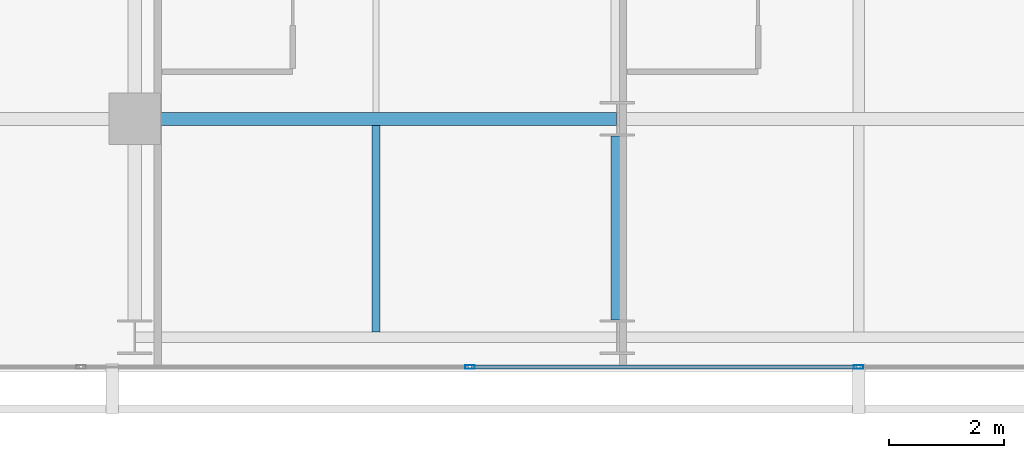
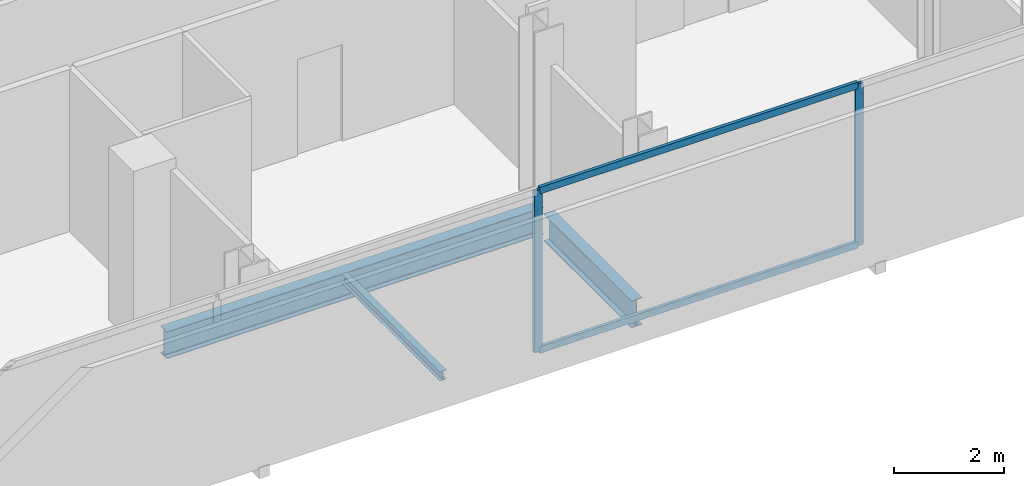
# One storey, part 6 of 34: 4 members, 3 beams, 1 element without a shape of its own.
"""IFC4 building model written with IfcOpenShell, lengths in metres."""

import ifcopenshell
import ifcopenshell.guid

model = None  # the IFC model being written
_history = None  # IfcOwnerHistory: only IFC2X3 demands one
_inside = {}  # id of a spatial element -> (the spatial element, [elements in it])
_under = {}  # id of a project, library or spatial element -> (it, [spatial elements below it])
_declared = {}  # id of a project -> (the project, [libraries it declares])
_typed = {}  # id of a type object -> (the type object, [elements of that type])
_made_of = {}  # id of a material, layer set ... -> (it, [elements and type objects made of it])


def new_model(schema):
    """Start an empty IFC model of exactly this schema.

    Asked for "IFC4X3", IfcOpenShell would pick the latest addendum, in which some entities
    have other attributes; the version numbers below select the first issue.
    IFC2X3 requires an IfcOwnerHistory on every rooted entity: one is made here for all.
    """
    global model, _history
    if schema == "IFC4X3":
        model = ifcopenshell.file(schema_version=(4, 3, 0, 0))
    else:
        model = ifcopenshell.file(schema=schema)
    _inside.clear()
    _under.clear()
    _declared.clear()
    _typed.clear()
    _made_of.clear()
    _history = None
    if model.schema == "IFC2X3":
        org = make("IfcOrganization", Name="unknown")
        user = make(
            "IfcPersonAndOrganization",
            ThePerson=make("IfcPerson", FamilyName="unknown"),
            TheOrganization=org,
        )
        app = make(
            "IfcApplication",
            ApplicationDeveloper=org,
            Version="unknown",
            ApplicationFullName="unknown",
            ApplicationIdentifier="unknown",
        )
        _history = make(
            "IfcOwnerHistory",
            OwningUser=user,
            OwningApplication=app,
            ChangeAction="ADDED",
            CreationDate=0,
        )
    return model


def make(cls, **values):
    """One entity of the class cls with the attributes given. An attribute that is None is left unset."""
    return model.create_entity(
        cls, **{name: value for name, value in values.items() if value is not None}
    )


def rooted(cls, **values):
    """An entity with a GlobalId (a new one), such as an element, a storey or a relation."""
    return make(cls, GlobalId=ifcopenshell.guid.new(), OwnerHistory=_history, **values)


def si_unit(unit_type, name, prefix=None):
    """IfcSIUnit, for example si_unit("LENGTHUNIT", "METRE", prefix="MILLI")."""
    return make("IfcSIUnit", UnitType=unit_type, Prefix=prefix, Name=name)


def assignment(units):
    """IfcUnitAssignment: the units of a project."""
    return None if units is None else make("IfcUnitAssignment", Units=units)


def point(xyz):
    """IfcCartesianPoint."""
    return None if xyz is None else make("IfcCartesianPoint", Coordinates=xyz)


def direction(xyz):
    """IfcDirection."""
    return None if xyz is None else make("IfcDirection", DirectionRatios=xyz)


def frame(location, z_axis=None, x_axis=None):
    """IfcAxis2Placement3D, a coordinate frame: its origin and axes. An axis left out is left unset."""
    return make(
        "IfcAxis2Placement3D",
        Location=point(location),
        Axis=direction(z_axis),
        RefDirection=direction(x_axis),
    )


def frame_2d(location, x_axis=None):
    """IfcAxis2Placement2D, a coordinate frame in the plane: its origin and x axis."""
    return make(
        "IfcAxis2Placement2D", Location=point(location), RefDirection=direction(x_axis)
    )


def origin():
    """The frame at (0, 0, 0) with its axes left unset."""
    return frame((0.0, 0.0, 0.0))


def origin_2d():
    """The frame at (0, 0) in the plane with its x axis left unset."""
    return frame_2d((0.0, 0.0))


def place(relative_to, where):
    """IfcLocalPlacement: puts the frame where relative to a parent placement (None: the world)."""
    return make(
        "IfcLocalPlacement", PlacementRelTo=relative_to, RelativePlacement=where
    )


def context(
    kind, dimensions, precision=None, world=None, true_north=None, identifier=None
):
    """IfcGeometricRepresentationContext, for example the 3D "Model" context."""
    return make(
        "IfcGeometricRepresentationContext",
        ContextIdentifier=identifier,
        ContextType=kind,
        CoordinateSpaceDimension=dimensions,
        Precision=precision,
        WorldCoordinateSystem=world,
        TrueNorth=true_north,
    )


def subcontext(parent, identifier, kind, view, scale=None):
    """IfcGeometricRepresentationSubContext, for example "Body" below "Model"."""
    return make(
        "IfcGeometricRepresentationSubContext",
        ContextIdentifier=identifier,
        ContextType=kind,
        ParentContext=parent,
        TargetScale=scale,
        TargetView=view,
    )


def project(units=None, contexts=None):
    """IfcProject with its units and contexts."""
    return rooted(
        "IfcProject",
        Name="project",
        RepresentationContexts=contexts,
        UnitsInContext=assignment(units),
    )


def spatial(cls, under=None, at=None, **own):
    """A site, building, storey or space (cls), placed at a placement, below another one or the project."""
    s = rooted(cls, ObjectPlacement=at, **own)
    if under is not None:
        _under.setdefault(under.id(), (under, []))[1].append(s)
    return s


def profile(cls, at=None, kind="AREA", **sizes):
    """A parametric profile (cls). Its sizes go by their IFC names, for example OverallWidth=200.0."""
    return make(cls, ProfileType=kind, Position=at, **sizes)


def hollow_rectangle(**sizes):
    """IfcRectangleHollowProfileDef."""
    return profile("IfcRectangleHollowProfileDef", **sizes)


def i_section(**sizes):
    """IfcIShapeProfileDef."""
    return profile("IfcIShapeProfileDef", **sizes)


def extrude(swept, where, along, depth):
    """IfcExtrudedAreaSolid: the profile swept, set in the frame where, extruded along a direction by depth."""
    return make(
        "IfcExtrudedAreaSolid",
        SweptArea=swept,
        Position=where,
        ExtrudedDirection=direction(along),
        Depth=depth,
    )


def shape(context_of_items, identifier, shape_type, items):
    """IfcShapeRepresentation: the items that make up one representation, for example the "Body"."""
    return make(
        "IfcShapeRepresentation",
        ContextOfItems=context_of_items,
        RepresentationIdentifier=identifier,
        RepresentationType=shape_type,
        Items=items,
    )


def material(Name=None, Category=None):
    """IfcMaterial."""
    return make("IfcMaterial", Name=Name, Category=Category)


def layer(
    of_material, thickness, ventilated=None, Name=None, Category=None, Priority=None
):
    """IfcMaterialLayer: one layer of a wall or slab, of a material (None: an air gap)."""
    return make(
        "IfcMaterialLayer",
        Material=of_material,
        LayerThickness=thickness,
        IsVentilated=ventilated,
        Name=Name,
        Category=Category,
        Priority=Priority,
    )


def layer_set(layers, Name=None):
    """IfcMaterialLayerSet."""
    return make("IfcMaterialLayerSet", MaterialLayers=layers, LayerSetName=Name)


def material_profile(
    of_material, cross_section, Name=None, Category=None, Priority=None
):
    """IfcMaterialProfile: a cross section and its material."""
    return make(
        "IfcMaterialProfile",
        Name=Name,
        Material=of_material,
        Profile=cross_section,
        Priority=Priority,
        Category=Category,
    )


def profile_set(profiles, Name=None, composite=None):
    """IfcMaterialProfileSet."""
    return make(
        "IfcMaterialProfileSet",
        Name=Name,
        MaterialProfiles=profiles,
        CompositeProfile=composite,
    )


def made_of(thing, what):
    """Note that an element or type object is made of a material, layer set ...; save() writes the relation."""
    if what is not None:
        _made_of.setdefault(what.id(), (what, []))[1].append(thing)
    return thing


def type_object(cls, material=None, **own):
    """A type object (cls), such as IfcWallType, which elements share."""
    return made_of(rooted(cls, **own), material)


def element(
    cls,
    number,
    at=None,
    inside=None,
    cuts=None,
    type_object=None,
    material=None,
    context=None,
    identifier="Body",
    shape_type=None,
    held_by="IfcProductDefinitionShape",
    body=None,
    shapes=None,
    **own,
):
    """One element of the class cls, such as IfcWall. Its Tag is "e" and its number.

    at: its placement. inside: the storey or other place that contains it. cuts: it is an
    opening in that element (IfcRelVoidsElement). A single representation is given by context,
    identifier, shape_type and body (its items); several are given by shapes. held_by: the class
    of the entity that holds the representations. save() writes the other relations.
    """
    e = rooted(cls, Tag="e%d" % number, ObjectPlacement=at, **own)
    if body is not None:
        shapes = [shape(context, identifier, shape_type, body)]
    if shapes is not None:
        e.Representation = make(held_by, Representations=shapes)
    if inside is not None:
        _inside.setdefault(inside.id(), (inside, []))[1].append(e)
    if cuts is not None:
        rooted(
            "IfcRelVoidsElement", RelatingBuildingElement=cuts, RelatedOpeningElement=e
        )
    if type_object is not None:
        _typed.setdefault(type_object.id(), (type_object, []))[1].append(e)
    return made_of(e, material)


def aggregate(whole, parts):
    """IfcRelAggregates: a whole, such as a stair, and the parts it consists of."""
    return rooted("IfcRelAggregates", RelatingObject=whole, RelatedObjects=parts)


def save(model, path):
    """Write the relations noted so far, then the file.

    IfcRelAggregates (storeys below a building ...), IfcRelContainedInSpatialStructure (elements
    in a storey), IfcRelDefinesByType, IfcRelAssociatesMaterial and IfcRelDeclares: one each for
    every whole, place, type object, material and project.
    """
    for whole, parts in _under.values():
        aggregate(whole, parts)
    for where, things in _inside.values():
        rooted(
            "IfcRelContainedInSpatialStructure",
            RelatedElements=things,
            RelatingStructure=where,
        )
    for kind, things in _typed.values():
        rooted("IfcRelDefinesByType", RelatedObjects=things, RelatingType=kind)
    for what, things in _made_of.values():
        rooted("IfcRelAssociatesMaterial", RelatedObjects=things, RelatingMaterial=what)
    for by, libraries in _declared.values():
        rooted("IfcRelDeclares", RelatingContext=by, RelatedDefinitions=libraries)
    model.write(path)


model = new_model("IFC4")

# Units and contexts
model_context = context("Model", 3, precision=1e-05, world=origin(), true_north=direction((0.0, 1.0)))
body_context = subcontext(model_context, "Body", "Model", "MODEL_VIEW")
ifc_project = project(units=[si_unit("LENGTHUNIT", "METRE"), si_unit("AREAUNIT", "SQUARE_METRE"), si_unit("VOLUMEUNIT", "CUBIC_METRE"), si_unit("PLANEANGLEUNIT", "RADIAN"), si_unit("MASSUNIT", "GRAM", prefix="KILO")], contexts=[model_context])

# Site, building, storey
site_placement = place(None, origin())
site = spatial("IfcSite", under=ifc_project, at=site_placement, CompositionType="ELEMENT")
building_placement = place(site_placement, origin())
building = spatial("IfcBuilding", under=site, at=building_placement, Name="Maruvema Waterfront Hotel and Observation Tower", CompositionType="ELEMENT")
storey_placement = place(building_placement, frame((0.0, 0.0, 177.449951171875)))
storey = spatial("IfcBuildingStorey", under=building, at=storey_placement, Name="L43", CompositionType="ELEMENT", Elevation=177.449951171875)

# Curtain wall, members
ifc_material_1 = material(Name="Anodised bronze aluminium and solar-control low-E IGU", Category="aluminium")
ifc_layer = layer(ifc_material_1, 0.159912109375, Name="Zone 2 Amber Inner Thermal Curtain Wall System CW-03")
ifc_layer_set = layer_set([ifc_layer], Name="Anodised bronze aluminium and solar-control low-E IGU")
curtain_wall_type = type_object("IfcCurtainWallType", Name="Zone 2 Amber Inner Thermal Curtain Wall System CW-03", PredefinedType="USERDEFINED", material=ifc_layer_set)
curtain_wall_placement = place(storey_placement, origin())
curtain_wall = element("IfcCurtainWall", 1, at=curtain_wall_placement, inside=storey, type_object=curtain_wall_type, Name="L43 Curtain Wall CW-L43-S", ObjectType="UNITISED CURTAIN WALL", PredefinedType="USERDEFINED")
ifc_material_2 = material(Name="Anodised architectural bronze aluminium", Category="aluminium")
ifc_material_profile_1 = material_profile(ifc_material_2, hollow_rectangle(XDim=0.070068359375, YDim=0.14990234375, WallThickness=0.00390625, at=origin_2d()), Name="ALU-T70x150")
ifc_profile_set_1 = profile_set([ifc_material_profile_1], Name="Anodised architectural bronze aluminium")
member_type_1 = type_object("IfcMemberType", Name="Curtain Wall Horizontal Transom ALU-T70x150", PredefinedType="USERDEFINED", material=ifc_profile_set_1)
member_1_placement = place(storey_placement, frame((31.063232421875, 4.679931640625, 0.030029296875), z_axis=(1.0, 0.0, 0.0), x_axis=(0.0, 1.0, 0.0)))
member_1 = element("IfcMember", 2, at=member_1_placement, type_object=member_type_1, Name="CW-03 transom 3.1", ObjectType="TRANSOM", PredefinedType="USERDEFINED", context=body_context, shape_type="SweptSolid", body=[
    extrude(hollow_rectangle(XDim=0.070068359375, YDim=0.14990234375, WallThickness=0.00390625, at=origin_2d()), origin(), (0.0, 0.0, 1.0), 6.706787109375),
])
member_2_placement = place(storey_placement, frame((31.063232421875, 4.679931640625, 3.580078125), z_axis=(1.0, 0.0, 0.0), x_axis=(0.0, 1.0, 0.0)))
member_2 = element("IfcMember", 3, at=member_2_placement, type_object=member_type_1, Name="CW-03 transom 3.2", ObjectType="TRANSOM", PredefinedType="USERDEFINED", context=body_context, shape_type="SweptSolid", body=[
    extrude(hollow_rectangle(XDim=0.070068359375, YDim=0.14990234375, WallThickness=0.00390625, at=origin_2d()), origin(), (0.0, 0.0, 1.0), 6.706787109375),
])
ifc_material_3 = material(Name="Anodised architectural bronze aluminium", Category="aluminium")
ifc_material_profile_2 = material_profile(ifc_material_3, hollow_rectangle(XDim=0.06494140625, YDim=0.1650390625, WallThickness=0.00390625, at=origin_2d()), Name="ALU-M65x165")
ifc_profile_set_2 = profile_set([ifc_material_profile_2], Name="Anodised architectural bronze aluminium")
member_type_2 = type_object("IfcMemberType", Name="Curtain Wall Primary Mullion ALU-M65x165", PredefinedType="MULLION", material=ifc_profile_set_2)
member_3_placement = place(storey_placement, frame((31.033447265625, 4.679931640625, 0.0), z_axis=(0.0, 0.0, 1.0), x_axis=(0.0, 1.0, 0.0)))
member_3 = element("IfcMember", 4, at=member_3_placement, type_object=member_type_2, Name="CW-03 mullion 3", PredefinedType="MULLION", context=body_context, shape_type="SweptSolid", body=[
    extrude(hollow_rectangle(XDim=0.06494140625, YDim=0.1650390625, WallThickness=0.00390625, at=origin_2d()), origin(), (0.0, 0.0, 1.0), 3.610107421875),
])
member_4_placement = place(storey_placement, frame((37.800048828125, 4.679931640625, 0.0), z_axis=(0.0, 0.0, 1.0), x_axis=(0.0, 1.0, 0.0)))
member_4 = element("IfcMember", 5, at=member_4_placement, type_object=member_type_2, Name="CW-03 mullion 4", PredefinedType="MULLION", context=body_context, shape_type="SweptSolid", body=[
    extrude(hollow_rectangle(XDim=0.06494140625, YDim=0.1650390625, WallThickness=0.00390625, at=origin_2d()), origin(), (0.0, 0.0, 1.0), 3.610107421875),
])
aggregate(curtain_wall, [member_3, member_4, member_1, member_2])

# Beams
ifc_material_4 = material(Name="Steel ASTM A572 Grade 50", Category="steel")
ifc_material_profile_3 = material_profile(ifc_material_4, i_section(OverallWidth=0.22802734375, OverallDepth=0.60302734375, WebThickness=0.010498046875, FlangeThickness=0.014892578125, FilletRadius=0.01806640625, at=origin_2d()), Name="W610x101.0")
ifc_profile_set_3 = profile_set([ifc_material_profile_3], Name="Steel ASTM A572 Grade 50")
beam_type_1 = type_object("IfcBeamType", Name="Primary Floor Girder W610x101.0", PredefinedType="BEAM", material=ifc_profile_set_3)
beam_1_placement = place(storey_placement, frame((25.64990234375, 9.0, -0.54150390625), z_axis=(1.0, 0.0, 0.0), x_axis=(0.0, 1.0, 0.0)))
element("IfcBeam", 6, at=beam_1_placement, inside=storey, type_object=beam_type_1, Name="L43 Floor Girder EW-06", PredefinedType="BEAM", context=body_context, shape_type="SweptSolid", body=[
    extrude(i_section(OverallWidth=0.22802734375, OverallDepth=0.60302734375, WebThickness=0.010498046875, FlangeThickness=0.014892578125, FilletRadius=0.01806640625, at=origin_2d()), origin(), (0.0, 0.0, 1.0), 7.9375),
])
beam_2_placement = place(storey_placement, frame((33.60009765625, 5.5, -0.54150390625), z_axis=(0.0, 1.0, 0.0), x_axis=(-1.0, 0.0, 0.0)))
element("IfcBeam", 7, at=beam_2_placement, inside=storey, type_object=beam_type_1, Name="L43 Floor Girder NS-14", PredefinedType="BEAM", context=body_context, shape_type="SweptSolid", body=[
    extrude(i_section(OverallWidth=0.22802734375, OverallDepth=0.60302734375, WebThickness=0.010498046875, FlangeThickness=0.014892578125, FilletRadius=0.01806640625, at=origin_2d()), origin(), (0.0, 0.0, 1.0), 3.199951171875),
])
ifc_material_5 = material(Name="Steel ASTM A572 Grade 50", Category="steel")
ifc_material_profile_4 = material_profile(ifc_material_5, i_section(OverallWidth=0.133056640625, OverallDepth=0.20703125, WebThickness=0.005859375, FlangeThickness=0.00830078125, FilletRadius=0.010009765625, at=origin_2d()), Name="W200x26.6")
ifc_profile_set_4 = profile_set([ifc_material_profile_4], Name="Steel ASTM A572 Grade 50")
beam_type_2 = type_object("IfcBeamType", Name="Secondary Floor Joist W200x26.6", PredefinedType="JOIST", material=ifc_profile_set_4)
beam_3_placement = place(storey_placement, frame((29.39990234375, 5.29052734375, -0.343505859375), z_axis=(0.0, 1.0, 0.0), x_axis=(-1.0, 0.0, 0.0)))
element("IfcBeam", 8, at=beam_3_placement, inside=storey, type_object=beam_type_2, Name="L43 Secondary Floor Joist JS-05", PredefinedType="JOIST", context=body_context, shape_type="SweptSolid", body=[
    extrude(i_section(OverallWidth=0.133056640625, OverallDepth=0.20703125, WebThickness=0.005859375, FlangeThickness=0.00830078125, FilletRadius=0.010009765625, at=origin_2d()), origin(), (0.0, 0.0, 1.0), 3.595458984375),
])

save(model, "model.ifc")
